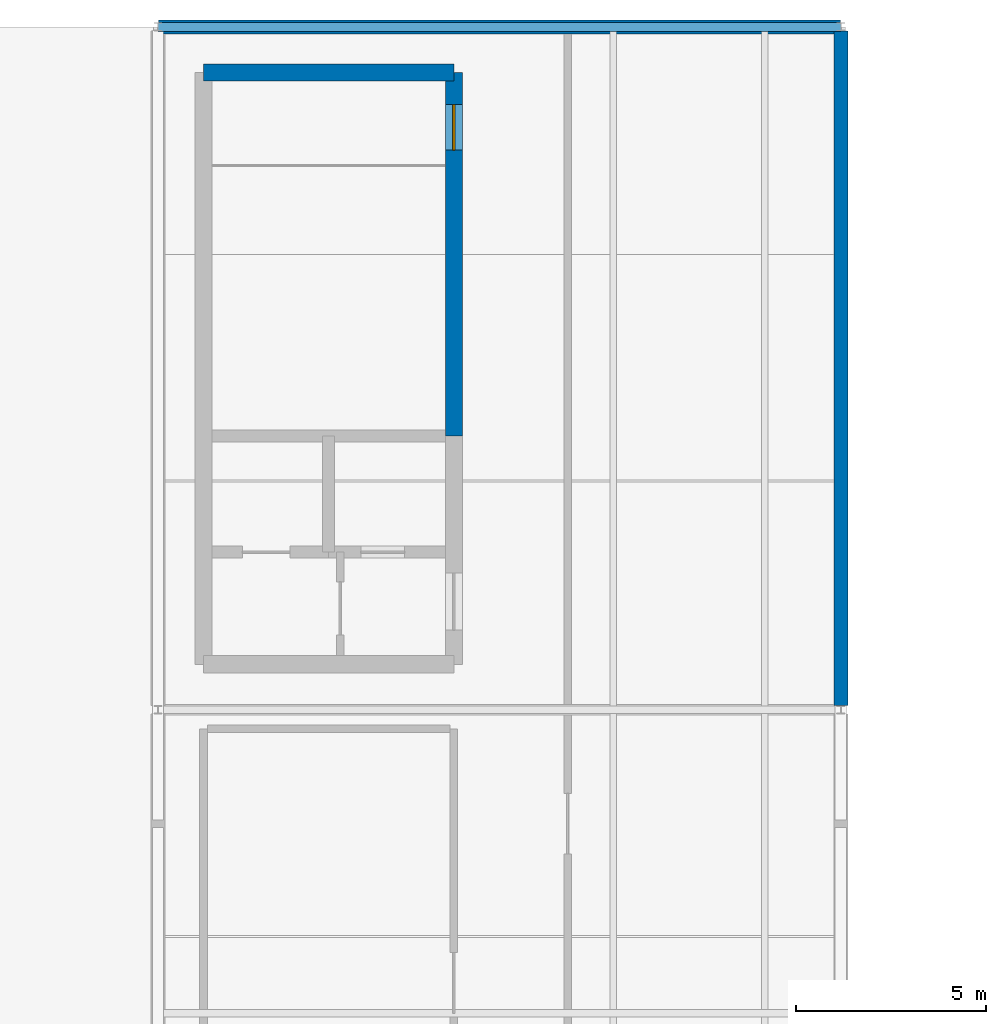
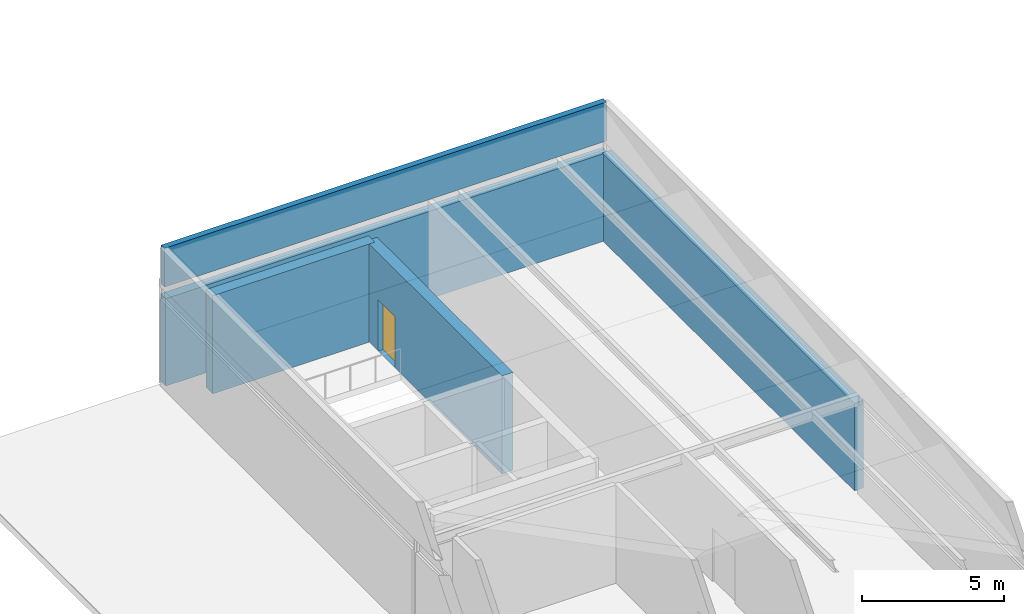
# One storey, part 10 of 13: 5 walls, 1 door, 1 opening.
"""IFC4 building model written with IfcOpenShell, lengths in metres."""

from ifc_helpers import new_model, si_unit, direction, frame, frame_2d, origin, place, context, subcontext, project, spatial, rectangle, extrude, material, layer, layer_set, type_object, element, fill, save


model = new_model("IFC4")

# Units and contexts
model_context = context("Model", 3, precision=1e-05, world=origin(), true_north=direction((0.0, 1.0)))
body_context = subcontext(model_context, "Body", "Model", "MODEL_VIEW")
ifc_project = project(units=[si_unit("LENGTHUNIT", "METRE"), si_unit("AREAUNIT", "SQUARE_METRE"), si_unit("VOLUMEUNIT", "CUBIC_METRE"), si_unit("PLANEANGLEUNIT", "RADIAN"), si_unit("MASSUNIT", "GRAM", prefix="KILO")], contexts=[model_context])

# Site, building, storey
site_placement = place(None, origin())
site = spatial("IfcSite", under=ifc_project, at=site_placement, CompositionType="ELEMENT")
building_placement = place(site_placement, origin())
building = spatial("IfcBuilding", under=site, at=building_placement, Name="Kisiwana Market Hall", CompositionType="ELEMENT")
storey_placement = place(building_placement, frame((0.0, 0.0, 69.89990234375)))
storey = spatial("IfcBuildingStorey", under=building, at=storey_placement, Name="L16", CompositionType="ELEMENT", Elevation=69.89990234375)

# Wall
ifc_material_1 = material(Name="Concrete C40/50", Category="concrete")
ifc_layer_1 = layer(ifc_material_1, 0.449951171875, Name="Reinforced concrete core wall")
ifc_layer_set_1 = layer_set([ifc_layer_1], Name="WL-CORE-450")
wall_type_1 = type_object("IfcWallType", Name="WL-CORE-450", PredefinedType="SHEAR", material=ifc_layer_set_1)
wall_1_placement = place(storey_placement, frame((10.199951171875, 100.800048828125, 0.0), z_axis=(0.0, 0.0, 1.0), x_axis=(1.0, 0.0, 0.0)))
element("IfcWall", 1, at=wall_1_placement, inside=storey, type_object=wall_type_1, Name="Core W1 north shear wall W-3501", PredefinedType="SHEAR", context=body_context, shape_type="SweptSolid", body=[
    extrude(rectangle(XDim=6.60009765625, YDim=0.449951171875, at=frame_2d((3.300048828125, 0.0))), origin(), (0.0, 0.0, 1.0), 4.22509765625),
])

# Wall, opening, door
wall_2_placement = place(storey_placement, frame((16.800048828125, 91.215087890625, 0.0), z_axis=(0.0, 0.0, 1.0), x_axis=(0.0, 1.0, 0.0)))
wall_2 = element("IfcWall", 2, at=wall_2_placement, inside=storey, type_object=wall_type_1, Name="Core W1 stair corridor shear wall W-3504", PredefinedType="SHEAR", context=body_context, shape_type="SweptSolid", body=[
    extrude(rectangle(XDim=9.5849609375, YDim=0.449951171875, at=frame_2d((4.79248046875, 0.0))), origin(), (0.0, 0.0, 1.0), 4.22509765625),
])
opening_placement = place(wall_2_placement, frame((7.534912109375, 0.0, 0.0)))
opening = element("IfcOpeningElement", 3, at=opening_placement, cuts=wall_2, Name="Opening DR-L16-005", PredefinedType="OPENING", context=body_context, shape_type="SweptSolid", body=[
    extrude(rectangle(XDim=1.199951171875, YDim=2.199951171875, at=frame_2d((0.60009765625, 1.10009765625))), frame((0.0, 0.23681640625, 0.0), z_axis=(0.0, -1.0, 0.0), x_axis=(1.0, 0.0, 0.0)), (0.0, 0.0, 1.0), 0.473876953125),
])
ifc_material_2 = material(Name="Steel S275", Category="steel")
door_type = type_object("IfcDoorType", Name="DR-STAIR-FD120-1200", OperationType="NOTDEFINED", PredefinedType="DOOR", material=ifc_material_2)
door_placement = place(opening_placement, origin())
door = element("IfcDoor", 4, at=door_placement, inside=storey, type_object=door_type, Name="Escape Stair W1 Fire Door (L16)", OperationType="SINGLE_SWING_RIGHT", OverallHeight=2.199951171875, OverallWidth=1.199951171875, PredefinedType="DOOR", context=body_context, shape_type="SweptSolid", body=[
    extrude(rectangle(XDim=1.199951171875, YDim=2.199951171875, at=frame_2d((0.60009765625, 1.10009765625))), frame((0.0, 0.02490234375, 0.0), z_axis=(0.0, -1.0, 0.0), x_axis=(1.0, 0.0, 0.0)), (0.0, 0.0, 1.0), 0.050048828125),
])
fill(opening, door)

# Walls
ifc_material_3 = material(Name="Concrete C40/50 precast", Category="concrete")
ifc_layer_2 = layer(ifc_material_3, 0.364990234375)
ifc_layer_set_2 = layer_set([ifc_layer_2], Name="WL-EXT-365")
wall_type_2 = type_object("IfcWallType", Name="WL-EXT-365", PredefinedType="STANDARD", material=ifc_layer_set_2)
wall_3_placement = place(storey_placement, frame((9.010009765625, 102.0, 0.0), z_axis=(0.0, 0.0, 1.0), x_axis=(1.0, 0.0, 0.0)))
element("IfcWall", 5, at=wall_3_placement, inside=storey, type_object=wall_type_2, Name="Exterior wall W-3529", PredefinedType="STANDARD", context=body_context, shape_type="SweptSolid", body=[
    extrude(rectangle(XDim=17.97998046875, YDim=0.364990234375, at=frame_2d((8.989990234375, 0.0))), origin(), (0.0, 0.0, 1.0), 3.76513671875),
])
wall_4_placement = place(storey_placement, frame((27.0, 84.107666015625, 0.0), z_axis=(0.0, 0.0, 1.0), x_axis=(0.0, 1.0, 0.0)))
element("IfcWall", 6, at=wall_4_placement, inside=storey, type_object=wall_type_2, Name="Exterior wall W-3538", PredefinedType="STANDARD", context=body_context, shape_type="SweptSolid", body=[
    extrude(rectangle(XDim=17.78466796875, YDim=0.364990234375, at=frame_2d((8.892333984375, 0.0))), origin(), (0.0, 0.0, 1.0), 3.76513671875),
])
ifc_material_4 = material(Name="Concrete C40/50", Category="concrete")
ifc_layer_3 = layer(ifc_material_4, 0.239990234375, Name="Reinforced concrete roof parapet")
ifc_layer_set_3 = layer_set([ifc_layer_3], Name="WL-PARA-240")
wall_type_3 = type_object("IfcWallType", Name="WL-PARA-240", PredefinedType="PARAPET", material=ifc_layer_set_3)
wall_5_placement = place(storey_placement, frame((9.0, 102.0, 4.22509765625), z_axis=(0.0, 0.0, 1.0), x_axis=(1.0, 0.0, 0.0)))
element("IfcWall", 7, at=wall_5_placement, inside=storey, type_object=wall_type_3, Name="Roof parapet wall W-3570", PredefinedType="PARAPET", context=body_context, shape_type="SweptSolid", body=[
    extrude(rectangle(XDim=18.0, YDim=0.239990234375, at=frame_2d((9.0, 0.0))), origin(), (0.0, 0.0, 1.0), 1.675048828125),
])

save(model, "model.ifc")
